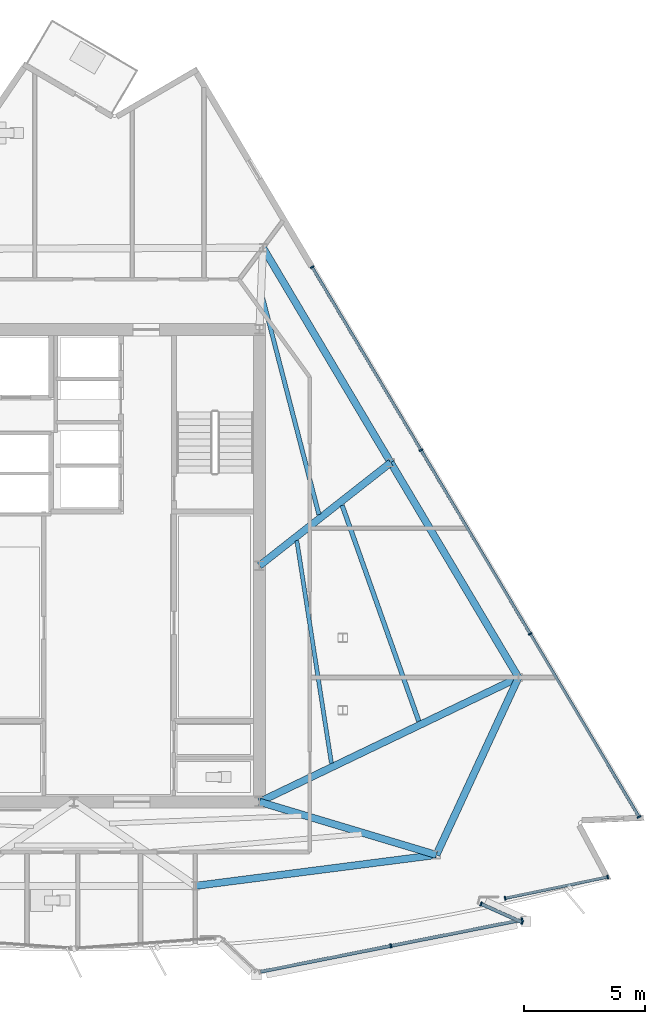
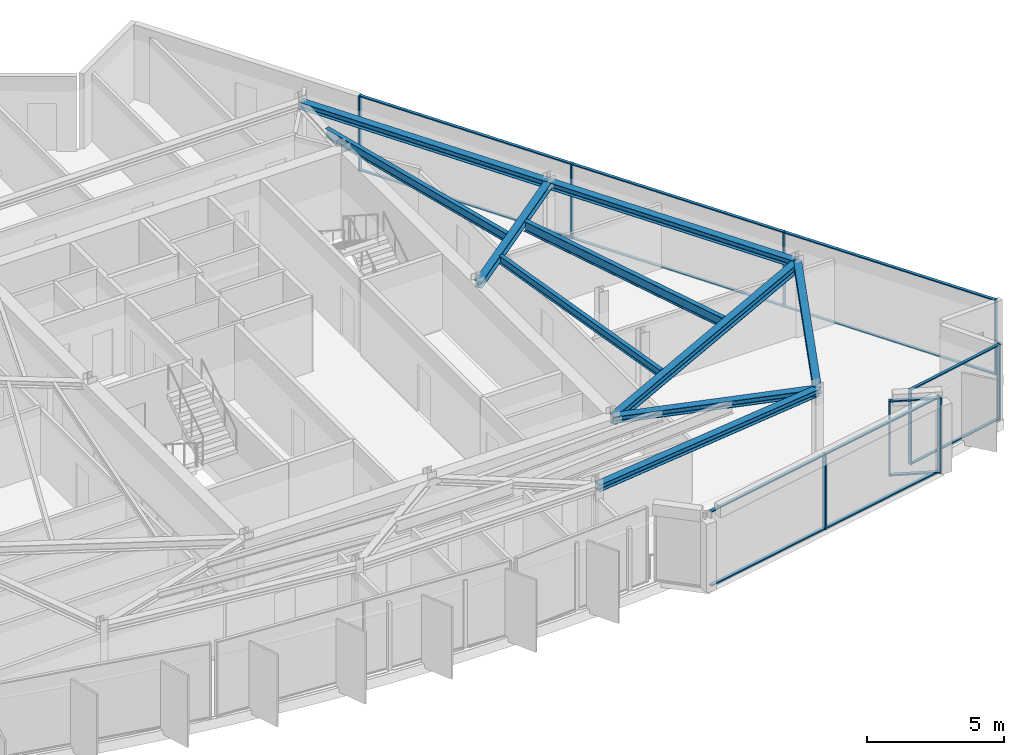
# One storey, part 6 of 14: 24 members, 10 beams, 4 elements without a shape of their own.
"""IFC4 building model written with IfcOpenShell, lengths in metres."""

from ifc_helpers import new_model, si_unit, direction, frame, origin, origin_2d, place, context, subcontext, project, spatial, rectangle, i_section, extrude, material, material_profile, profile_set, type_object, element, aggregate, save


model = new_model("IFC4")

# Units and contexts
model_context = context("Model", 3, precision=1e-05, world=origin(), true_north=direction((0.0, 1.0)))
body_context = subcontext(model_context, "Body", "Model", "MODEL_VIEW")
ifc_project = project(units=[si_unit("LENGTHUNIT", "METRE"), si_unit("AREAUNIT", "SQUARE_METRE"), si_unit("VOLUMEUNIT", "CUBIC_METRE"), si_unit("PLANEANGLEUNIT", "RADIAN"), si_unit("MASSUNIT", "GRAM", prefix="KILO")], contexts=[model_context])

# Site, building, storey
site_placement = place(None, origin())
site = spatial("IfcSite", under=ifc_project, at=site_placement, CompositionType="ELEMENT")
building_placement = place(site_placement, origin())
building = spatial("IfcBuilding", under=site, at=building_placement, Name="Savorim Split Tower", CompositionType="ELEMENT")
storey_placement = place(building_placement, frame((0.0, 0.0, 294.0)))
storey = spatial("IfcBuildingStorey", under=building, at=storey_placement, Name="L78", CompositionType="ELEMENT", Elevation=294.0)

# Beams
ifc_material_1 = material(Name="Steel S355", Category="steel")
ifc_material_profile_1 = material_profile(ifc_material_1, i_section(OverallWidth=0.169921875, OverallDepth=0.360107421875, WebThickness=0.008056640625, FlangeThickness=0.0126953125, FilletRadius=0.01806640625, at=origin_2d()), Name="IPE 360")
ifc_profile_set_1 = profile_set([ifc_material_profile_1], Name="Steel S355")
beam_type_1 = type_object("IfcBeamType", Name="BM-JST-IPE360", PredefinedType="JOIST", material=ifc_profile_set_1)
beam_1_placement = place(storey_placement, frame((10.68408203125, -7.797119140625, 3.159912109375), z_axis=(-0.153529055259, 0.988144133814, 0.0), x_axis=(-0.988144133814, -0.153529055259, 0.0)))
element("IfcBeam", 1, at=beam_1_placement, inside=storey, type_object=beam_type_1, Name="L78 Secondary Floor Joist JS-08", PredefinedType="JOIST", context=body_context, shape_type="SweptSolid", body=[
    extrude(i_section(OverallWidth=0.169921875, OverallDepth=0.360107421875, WebThickness=0.008056640625, FlangeThickness=0.0126953125, FilletRadius=0.01806640625, at=origin_2d()), origin(), (0.0, 0.0, 1.0), 9.34716796875),
])
ifc_material_profile_2 = material_profile(ifc_material_1, i_section(OverallWidth=0.179931640625, OverallDepth=0.39990234375, WebThickness=0.008544921875, FlangeThickness=0.013427734375, FilletRadius=0.02099609375, at=origin_2d()), Name="IPE 400")
ifc_profile_set_2 = profile_set([ifc_material_profile_2], Name="Steel S355")
beam_type_2 = type_object("IfcBeamType", Name="BM-JST-IPE400", PredefinedType="JOIST", material=ifc_profile_set_2)
beam_2_placement = place(storey_placement, frame((10.164306640625, 2.521728515625, 3.139892578125), z_axis=(-0.251309740462, 0.967906717793, 0.0), x_axis=(-0.967906717793, -0.251309740462, 0.0)))
element("IfcBeam", 2, at=beam_2_placement, inside=storey, type_object=beam_type_2, Name="L78 Secondary Floor Joist JS-07", PredefinedType="JOIST", context=body_context, shape_type="SweptSolid", body=[
    extrude(i_section(OverallWidth=0.179931640625, OverallDepth=0.39990234375, WebThickness=0.008544921875, FlangeThickness=0.013427734375, FilletRadius=0.02099609375, at=origin_2d()), origin(), (0.0, 0.0, 1.0), 9.384521484375),
])
ifc_material_profile_3 = material_profile(ifc_material_1, i_section(OverallWidth=0.18994140625, OverallDepth=0.449951171875, WebThickness=0.009521484375, FlangeThickness=0.0146484375, FilletRadius=0.02099609375, at=origin_2d()), Name="IPE 450")
ifc_profile_set_3 = profile_set([ifc_material_profile_3], Name="Steel S355")
beam_type_3 = type_object("IfcBeamType", Name="BM-JST-IPE450", PredefinedType="JOIST", material=ifc_profile_set_3)
beam_3_placement = place(storey_placement, frame((14.30859375, -6.0498046875, 3.114990234375), z_axis=(-0.334751538118, 0.942306429845, 0.0), x_axis=(-0.942306429845, -0.334751538118, 0.0)))
element("IfcBeam", 3, at=beam_3_placement, inside=storey, type_object=beam_type_3, Name="L78 Secondary Floor Joist JS-06", PredefinedType="JOIST", context=body_context, shape_type="SweptSolid", body=[
    extrude(i_section(OverallWidth=0.18994140625, OverallDepth=0.449951171875, WebThickness=0.009521484375, FlangeThickness=0.0146484375, FilletRadius=0.02099609375, at=origin_2d()), origin(), (0.0, 0.0, 1.0), 9.497802734375),
])
ifc_material_profile_4 = material_profile(ifc_material_1, i_section(OverallWidth=0.300048828125, OverallDepth=0.300048828125, WebThickness=0.010986328125, FlangeThickness=0.01904296875, FilletRadius=0.027099609375, at=origin_2d()), Name="HEB 300")
ifc_profile_set_4 = profile_set([ifc_material_profile_4], Name="Steel S355")
beam_type_4 = type_object("IfcBeamType", Name="BM-PRI-HEB300", PredefinedType="BEAM", material=ifc_profile_set_4)
beam_4_placement = place(storey_placement, frame((15.037109375, -11.6015625, 3.18994140625), z_axis=(-0.957807862617, 0.287409287096, 0.0), x_axis=(-0.287409287096, -0.957807862617, 0.0)))
element("IfcBeam", 4, at=beam_4_placement, inside=storey, type_object=beam_type_4, Name="L78 Primary Floor Girder RG-04", PredefinedType="BEAM", context=body_context, shape_type="SweptSolid", body=[
    extrude(i_section(OverallWidth=0.300048828125, OverallDepth=0.300048828125, WebThickness=0.010986328125, FlangeThickness=0.01904296875, FilletRadius=0.027099609375, at=origin_2d()), origin(), (0.0, 0.0, 1.0), 7.660400390625),
])
beam_5_placement = place(storey_placement, frame((13.144287109375, 4.675537109375, 3.18994140625), z_axis=(-0.786462724498, -0.617637744131, 0.0), x_axis=(0.617637744131, -0.786462724498, 0.0)))
element("IfcBeam", 5, at=beam_5_placement, inside=storey, type_object=beam_type_4, Name="L78 Primary Floor Girder RG-06", PredefinedType="BEAM", context=body_context, shape_type="SweptSolid", body=[
    extrude(i_section(OverallWidth=0.300048828125, OverallDepth=0.300048828125, WebThickness=0.010986328125, FlangeThickness=0.01904296875, FilletRadius=0.027099609375, at=origin_2d()), origin(), (0.0, 0.0, 1.0), 6.922607421875),
])
ifc_material_profile_5 = material_profile(ifc_material_1, i_section(OverallWidth=0.300048828125, OverallDepth=0.39990234375, WebThickness=0.013427734375, FlangeThickness=0.02392578125, FilletRadius=0.027099609375, at=origin_2d()), Name="HEB 400")
ifc_profile_set_5 = profile_set([ifc_material_profile_5], Name="Steel S355")
beam_type_5 = type_object("IfcBeamType", Name="BM-PRI-HEB400", PredefinedType="BEAM", material=ifc_profile_set_5)
beam_6_placement = place(storey_placement, frame((18.44580078125, -4.239990234375, 3.139892578125), z_axis=(-0.901460726945, -0.432860898875, 0.0), x_axis=(0.432860898875, -0.901460726945, 0.0)))
element("IfcBeam", 6, at=beam_6_placement, inside=storey, type_object=beam_type_5, Name="L78 Primary Floor Girder RG-05", PredefinedType="BEAM", context=body_context, shape_type="SweptSolid", body=[
    extrude(i_section(OverallWidth=0.300048828125, OverallDepth=0.39990234375, WebThickness=0.013427734375, FlangeThickness=0.02392578125, FilletRadius=0.027099609375, at=origin_2d()), origin(), (0.0, 0.0, 1.0), 11.92041015625),
])
ifc_material_profile_6 = material_profile(ifc_material_1, i_section(OverallWidth=0.300048828125, OverallDepth=0.31005859375, WebThickness=0.009033203125, FlangeThickness=0.015380859375, FilletRadius=0.027099609375, at=origin_2d()), Name="HEA 320")
ifc_profile_set_6 = profile_set([ifc_material_profile_6], Name="Steel S355")
beam_type_6 = type_object("IfcBeamType", Name="BM-SPN-HEA320", PredefinedType="SPANDREL", material=ifc_profile_set_6)
beam_7_placement = place(storey_placement, frame((5.039794921875, -12.885009765625, 3.18505859375), z_axis=(0.991859872424, 0.127334180306, 0.0), x_axis=(-0.127334180306, 0.991859872424, 0.0)))
element("IfcBeam", 7, at=beam_7_placement, inside=storey, type_object=beam_type_6, Name="L78 Perimeter Spandrel Beam 3", PredefinedType="SPANDREL", context=body_context, shape_type="SweptSolid", body=[
    extrude(i_section(OverallWidth=0.300048828125, OverallDepth=0.31005859375, WebThickness=0.009033203125, FlangeThickness=0.015380859375, FilletRadius=0.027099609375, at=origin_2d()), origin(), (0.0, 0.0, 1.0), 10.079345703125),
])
beam_8_placement = place(storey_placement, frame((15.037109375, -11.6015625, 3.18505859375), z_axis=(0.420180016877, 0.9074407713, 0.0), x_axis=(-0.9074407713, 0.420180016877, 0.0)))
element("IfcBeam", 8, at=beam_8_placement, inside=storey, type_object=beam_type_6, Name="L78 Perimeter Spandrel Beam 4", PredefinedType="SPANDREL", context=body_context, shape_type="SweptSolid", body=[
    extrude(i_section(OverallWidth=0.300048828125, OverallDepth=0.31005859375, WebThickness=0.009033203125, FlangeThickness=0.015380859375, FilletRadius=0.027099609375, at=origin_2d()), origin(), (0.0, 0.0, 1.0), 8.112548828125),
])
beam_9_placement = place(storey_placement, frame((18.44580078125, -4.239990234375, 3.18505859375), z_axis=(-0.511103121152, 0.859519400333, 0.0), x_axis=(-0.859519400333, -0.511103121152, 0.0)))
element("IfcBeam", 9, at=beam_9_placement, inside=storey, type_object=beam_type_6, Name="L78 Perimeter Spandrel Beam 5", PredefinedType="SPANDREL", context=body_context, shape_type="SweptSolid", body=[
    extrude(i_section(OverallWidth=0.300048828125, OverallDepth=0.31005859375, WebThickness=0.009033203125, FlangeThickness=0.015380859375, FilletRadius=0.027099609375, at=origin_2d()), origin(), (0.0, 0.0, 1.0), 10.372802734375),
])
beam_10_placement = place(storey_placement, frame((13.144287109375, 4.675537109375, 3.18505859375), z_axis=(-0.51108573242, 0.8595297401, 0.0), x_axis=(-0.8595297401, -0.51108573242, 0.0)))
element("IfcBeam", 10, at=beam_10_placement, inside=storey, type_object=beam_type_6, Name="L78 Perimeter Spandrel Beam 6", PredefinedType="SPANDREL", context=body_context, shape_type="SweptSolid", body=[
    extrude(i_section(OverallWidth=0.300048828125, OverallDepth=0.31005859375, WebThickness=0.009033203125, FlangeThickness=0.015380859375, FilletRadius=0.027099609375, at=origin_2d()), origin(), (0.0, 0.0, 1.0), 10.37255859375),
])

# Curtain wall, members
ifc_material_2 = material(Name="Dark Ceramic-Fritted Insulated Glass", Category="glass")
curtain_wall_type_1 = type_object("IfcCurtainWallType", Name="CW-TWR-FRIT-B", PredefinedType="NOTDEFINED", material=ifc_material_2)
curtain_wall_1_placement = place(storey_placement, origin())
curtain_wall_1 = element("IfcCurtainWall", 11, at=curtain_wall_1_placement, inside=storey, type_object=curtain_wall_type_1, Name="L78 Curtain Wall CW-L78-SF4A", PredefinedType="NOTDEFINED")
ifc_material_3 = material(Name="Charcoal Anodised Aluminium", Category="aluminium")
ifc_material_profile_7 = material_profile(ifc_material_3, rectangle(XDim=0.159912109375, YDim=0.06005859375, at=origin_2d()), Name="ALU-M 160x60")
ifc_profile_set_7 = profile_set([ifc_material_profile_7], Name="Charcoal Anodised Aluminium")
member_type_1 = type_object("IfcMemberType", Name="CWM-160x60", PredefinedType="MULLION", material=ifc_profile_set_7)
member_1_placement = place(storey_placement, frame((17.891845703125, -13.397216796875, 0.0), z_axis=(0.0, 0.0, 1.0), x_axis=(-0.203220155852, 0.979133069739, 0.0)))
member_1 = element("IfcMember", 12, at=member_1_placement, type_object=member_type_1, Name="CW-03 mullion 1", PredefinedType="MULLION", context=body_context, shape_type="SweptSolid", body=[
    extrude(rectangle(XDim=0.159912109375, YDim=0.06005859375, at=origin_2d()), origin(), (0.0, 0.0, 1.0), 3.340087890625),
])
member_2_placement = place(storey_placement, frame((22.142333984375, -12.514892578125, 0.0), z_axis=(0.0, 0.0, 1.0), x_axis=(-0.203220155852, 0.979133069739, 0.0)))
member_2 = element("IfcMember", 13, at=member_2_placement, type_object=member_type_1, Name="CW-03 mullion 2", PredefinedType="MULLION", context=body_context, shape_type="SweptSolid", body=[
    extrude(rectangle(XDim=0.159912109375, YDim=0.06005859375, at=origin_2d()), origin(), (0.0, 0.0, 1.0), 3.340087890625),
])

curtain_wall_2_placement = place(storey_placement, origin())
curtain_wall_2 = element("IfcCurtainWall", 14, at=curtain_wall_2_placement, inside=storey, type_object=curtain_wall_type_1, Name="L78 Curtain Wall CW-L78-EAST", PredefinedType="NOTDEFINED")
member_3_placement = place(storey_placement, frame((23.44482421875, -10.0234375, 0.0), z_axis=(0.0, 0.0, 1.0), x_axis=(-0.859526200766, -0.511091684727, 0.0)))
member_3 = element("IfcMember", 15, at=member_3_placement, type_object=member_type_1, Name="CW-03 mullion 1", PredefinedType="MULLION", context=body_context, shape_type="SweptSolid", body=[
    extrude(rectangle(XDim=0.159912109375, YDim=0.06005859375, at=origin_2d()), origin(), (0.0, 0.0, 1.0), 3.340087890625),
])
member_4_placement = place(storey_placement, frame((18.92919921875, -2.42919921875, 0.0), z_axis=(0.0, 0.0, 1.0), x_axis=(-0.859526200766, -0.511091684727, 0.0)))
member_4 = element("IfcMember", 16, at=member_4_placement, type_object=member_type_1, Name="CW-03 mullion 2", PredefinedType="MULLION", context=body_context, shape_type="SweptSolid", body=[
    extrude(rectangle(XDim=0.159912109375, YDim=0.06005859375, at=origin_2d()), origin(), (0.0, 0.0, 1.0), 3.340087890625),
])
member_5_placement = place(storey_placement, frame((14.398193359375, 5.190673828125, 0.0), z_axis=(0.0, 0.0, 1.0), x_axis=(-0.859526200766, -0.511091684727, 0.0)))
member_5 = element("IfcMember", 17, at=member_5_placement, type_object=member_type_1, Name="CW-03 mullion 3", PredefinedType="MULLION", context=body_context, shape_type="SweptSolid", body=[
    extrude(rectangle(XDim=0.159912109375, YDim=0.06005859375, at=origin_2d()), origin(), (0.0, 0.0, 1.0), 3.340087890625),
])
member_6_placement = place(storey_placement, frame((9.882568359375, 12.784912109375, 0.0), z_axis=(0.0, 0.0, 1.0), x_axis=(-0.859526200766, -0.511091684727, 0.0)))
member_6 = element("IfcMember", 18, at=member_6_placement, type_object=member_type_1, Name="CW-03 mullion 4", PredefinedType="MULLION", context=body_context, shape_type="SweptSolid", body=[
    extrude(rectangle(XDim=0.159912109375, YDim=0.06005859375, at=origin_2d()), origin(), (0.0, 0.0, 1.0), 3.340087890625),
])

curtain_wall_type_2 = type_object("IfcCurtainWallType", Name="CW-BAY-LOUNGE", PredefinedType="NOTDEFINED", material=ifc_material_2)
curtain_wall_3_placement = place(storey_placement, origin())
curtain_wall_3 = element("IfcCurtainWall", 19, at=curtain_wall_3_placement, inside=storey, type_object=curtain_wall_type_2, Name="L78 Curtain Wall CW-L78-BAYF", PredefinedType="NOTDEFINED")
ifc_material_profile_8 = material_profile(ifc_material_3, rectangle(XDim=0.179931640625, YDim=0.06494140625, at=origin_2d()), Name="ALU-M 180x65")
ifc_profile_set_8 = profile_set([ifc_material_profile_8], Name="Charcoal Anodised Aluminium")
member_type_2 = type_object("IfcMemberType", Name="CWM-180x65", PredefinedType="MULLION", material=ifc_profile_set_8)
member_7_placement = place(storey_placement, frame((13.15185546875, -15.37255859375, 0.0), z_axis=(0.0, 0.0, 1.0), x_axis=(-0.194484421737, 0.980905606927, 0.0)))
member_7 = element("IfcMember", 20, at=member_7_placement, type_object=member_type_2, Name="CW-04 mullion 2", PredefinedType="MULLION", context=body_context, shape_type="SweptSolid", body=[
    extrude(rectangle(XDim=0.179931640625, YDim=0.06494140625, at=origin_2d()), origin(), (0.0, 0.0, 1.0), 3.340087890625),
])
member_8_placement = place(storey_placement, frame((18.5947265625, -14.29345703125, 0.0), z_axis=(0.0, 0.0, 1.0), x_axis=(-0.194484421737, 0.980905606927, 0.0)))
member_8 = element("IfcMember", 21, at=member_8_placement, type_object=member_type_2, Name="CW-04 mullion 3", PredefinedType="MULLION", context=body_context, shape_type="SweptSolid", body=[
    extrude(rectangle(XDim=0.179931640625, YDim=0.06494140625, at=origin_2d()), origin(), (0.0, 0.0, 1.0), 3.340087890625),
])

curtain_wall_4_placement = place(storey_placement, origin())
curtain_wall_4 = element("IfcCurtainWall", 22, at=curtain_wall_4_placement, inside=storey, type_object=curtain_wall_type_2, Name="L78 Curtain Wall CW-L78-BAYE", PredefinedType="NOTDEFINED")
member_9_placement = place(storey_placement, frame((18.60205078125, -14.39892578125, 0.0), z_axis=(0.0, 0.0, 1.0), x_axis=(-0.409230543501, -0.912431017812, 0.0)))
member_9 = element("IfcMember", 23, at=member_9_placement, type_object=member_type_2, Name="CW-04 mullion 1", PredefinedType="MULLION", context=body_context, shape_type="SweptSolid", body=[
    extrude(rectangle(XDim=0.179931640625, YDim=0.06494140625, at=origin_2d()), origin(), (0.0, 0.0, 1.0), 3.340087890625),
])
member_10_placement = place(storey_placement, frame((16.89111328125, -13.631591796875, 0.0), z_axis=(0.0, 0.0, 1.0), x_axis=(-0.409230543501, -0.912431017812, 0.0)))
member_10 = element("IfcMember", 24, at=member_10_placement, type_object=member_type_2, Name="CW-04 mullion 2", PredefinedType="MULLION", context=body_context, shape_type="SweptSolid", body=[
    extrude(rectangle(XDim=0.179931640625, YDim=0.06494140625, at=origin_2d()), origin(), (0.0, 0.0, 1.0), 3.340087890625),
])

# Member
ifc_material_profile_9 = material_profile(ifc_material_3, rectangle(XDim=0.1201171875, YDim=0.050048828125, at=origin_2d()), Name="ALU-T 120x50")
ifc_profile_set_9 = profile_set([ifc_material_profile_9], Name="Charcoal Anodised Aluminium")
member_type_3 = type_object("IfcMemberType", Name="CWT-120x50", PredefinedType="USERDEFINED", material=ifc_profile_set_9)
member_11_placement = place(storey_placement, frame((17.921142578125, -13.39111328125, 0.02490234375), z_axis=(0.979129127242, 0.203239150232, 0.0), x_axis=(-0.203239150232, 0.979129127242, 0.0)))
member_11 = element("IfcMember", 25, at=member_11_placement, type_object=member_type_3, Name="CW-03 transom 1.1", ObjectType="TRANSOM", PredefinedType="USERDEFINED", context=body_context, shape_type="SweptSolid", body=[
    extrude(rectangle(XDim=0.1201171875, YDim=0.050048828125, at=origin_2d()), origin(), (0.0, 0.0, 1.0), 4.28125),
])

member_12_placement = place(storey_placement, frame((17.921142578125, -13.39111328125, 3.31494140625), z_axis=(0.979129127242, 0.203239150232, 0.0), x_axis=(-0.203239150232, 0.979129127242, 0.0)))
member_12 = element("IfcMember", 26, at=member_12_placement, type_object=member_type_3, Name="CW-03 transom 1.2", ObjectType="TRANSOM", PredefinedType="USERDEFINED", context=body_context, shape_type="SweptSolid", body=[
    extrude(rectangle(XDim=0.1201171875, YDim=0.050048828125, at=origin_2d()), origin(), (0.0, 0.0, 1.0), 4.28125),
])

aggregate(curtain_wall_1, [member_1, member_2, member_11, member_12])

member_13_placement = place(storey_placement, frame((23.429443359375, -9.99755859375, 0.02490234375), z_axis=(-0.511087614626, 0.859528620917, 0.0), x_axis=(-0.859528620917, -0.511087614626, 0.0)))
member_13 = element("IfcMember", 27, at=member_13_placement, type_object=member_type_3, Name="CW-03 transom 1.1", ObjectType="TRANSOM", PredefinedType="USERDEFINED", context=body_context, shape_type="SweptSolid", body=[
    extrude(rectangle(XDim=0.1201171875, YDim=0.050048828125, at=origin_2d()), origin(), (0.0, 0.0, 1.0), 8.775146484375),
])

member_14_placement = place(storey_placement, frame((23.429443359375, -9.99755859375, 3.31494140625), z_axis=(-0.511087614626, 0.859528620917, 0.0), x_axis=(-0.859528620917, -0.511087614626, 0.0)))
member_14 = element("IfcMember", 28, at=member_14_placement, type_object=member_type_3, Name="CW-03 transom 1.2", ObjectType="TRANSOM", PredefinedType="USERDEFINED", context=body_context, shape_type="SweptSolid", body=[
    extrude(rectangle(XDim=0.1201171875, YDim=0.050048828125, at=origin_2d()), origin(), (0.0, 0.0, 1.0), 8.775146484375),
])

member_15_placement = place(storey_placement, frame((18.913818359375, -2.403564453125, 0.02490234375), z_axis=(-0.511087019208, 0.859528974961, 0.0), x_axis=(-0.859528974961, -0.511087019208, 0.0)))
member_15 = element("IfcMember", 29, at=member_15_placement, type_object=member_type_3, Name="CW-03 transom 2.1", ObjectType="TRANSOM", PredefinedType="USERDEFINED", context=body_context, shape_type="SweptSolid", body=[
    extrude(rectangle(XDim=0.1201171875, YDim=0.050048828125, at=origin_2d()), origin(), (0.0, 0.0, 1.0), 8.80517578125),
])

member_16_placement = place(storey_placement, frame((18.913818359375, -2.403564453125, 3.31494140625), z_axis=(-0.511087019208, 0.859528974961, 0.0), x_axis=(-0.859528974961, -0.511087019208, 0.0)))
member_16 = element("IfcMember", 30, at=member_16_placement, type_object=member_type_3, Name="CW-03 transom 2.2", ObjectType="TRANSOM", PredefinedType="USERDEFINED", context=body_context, shape_type="SweptSolid", body=[
    extrude(rectangle(XDim=0.1201171875, YDim=0.050048828125, at=origin_2d()), origin(), (0.0, 0.0, 1.0), 8.80517578125),
])

member_17_placement = place(storey_placement, frame((14.3828125, 5.216552734375, 0.02490234375), z_axis=(-0.511087614626, 0.859528620917, 0.0), x_axis=(-0.859528620917, -0.511087614626, 0.0)))
member_17 = element("IfcMember", 31, at=member_17_placement, type_object=member_type_3, Name="CW-03 transom 3.1", ObjectType="TRANSOM", PredefinedType="USERDEFINED", context=body_context, shape_type="SweptSolid", body=[
    extrude(rectangle(XDim=0.1201171875, YDim=0.050048828125, at=origin_2d()), origin(), (0.0, 0.0, 1.0), 8.775146484375),
])

member_18_placement = place(storey_placement, frame((14.3828125, 5.216552734375, 3.31494140625), z_axis=(-0.511087614626, 0.859528620917, 0.0), x_axis=(-0.859528620917, -0.511087614626, 0.0)))
member_18 = element("IfcMember", 32, at=member_18_placement, type_object=member_type_3, Name="CW-03 transom 3.2", ObjectType="TRANSOM", PredefinedType="USERDEFINED", context=body_context, shape_type="SweptSolid", body=[
    extrude(rectangle(XDim=0.1201171875, YDim=0.050048828125, at=origin_2d()), origin(), (0.0, 0.0, 1.0), 8.775146484375),
])

aggregate(curtain_wall_2, [member_3, member_4, member_5, member_6, member_13, member_14, member_15, member_16, member_17, member_18])

ifc_material_profile_10 = material_profile(ifc_material_3, rectangle(XDim=0.139892578125, YDim=0.054931640625, at=origin_2d()), Name="ALU-T 140x55")
ifc_profile_set_10 = profile_set([ifc_material_profile_10], Name="Charcoal Anodised Aluminium")
member_type_4 = type_object("IfcMemberType", Name="CWT-140x55", PredefinedType="USERDEFINED", material=ifc_profile_set_10)
member_19_placement = place(storey_placement, frame((7.74072265625, -16.445556640625, 0.027587890625), z_axis=(0.980901265957, 0.194506314663, 0.0), x_axis=(-0.194506314663, 0.980901265957, 0.0)))
member_19 = element("IfcMember", 33, at=member_19_placement, type_object=member_type_4, Name="CW-04 transom 1.1", ObjectType="TRANSOM", PredefinedType="USERDEFINED", context=body_context, shape_type="SweptSolid", body=[
    extrude(rectangle(XDim=0.139892578125, YDim=0.054931640625, at=origin_2d()), origin(), (0.0, 0.0, 1.0), 5.48388671875),
])

member_20_placement = place(storey_placement, frame((7.74072265625, -16.445556640625, 3.3125), z_axis=(0.980901265957, 0.194506314663, 0.0), x_axis=(-0.194506314663, 0.980901265957, 0.0)))
member_20 = element("IfcMember", 34, at=member_20_placement, type_object=member_type_4, Name="CW-04 transom 1.2", ObjectType="TRANSOM", PredefinedType="USERDEFINED", context=body_context, shape_type="SweptSolid", body=[
    extrude(rectangle(XDim=0.139892578125, YDim=0.054931640625, at=origin_2d()), origin(), (0.0, 0.0, 1.0), 5.48388671875),
])

member_21_placement = place(storey_placement, frame((13.18359375, -15.3662109375, 0.027587890625), z_axis=(0.980909759064, 0.194463478763, 0.0), x_axis=(-0.194463478763, 0.980909759064, 0.0)))
member_21 = element("IfcMember", 35, at=member_21_placement, type_object=member_type_4, Name="CW-04 transom 2.1", ObjectType="TRANSOM", PredefinedType="USERDEFINED", context=body_context, shape_type="SweptSolid", body=[
    extrude(rectangle(XDim=0.139892578125, YDim=0.054931640625, at=origin_2d()), origin(), (0.0, 0.0, 1.0), 5.48388671875),
])

member_22_placement = place(storey_placement, frame((13.18359375, -15.3662109375, 3.3125), z_axis=(0.980909759064, 0.194463478763, 0.0), x_axis=(-0.194463478763, 0.980909759064, 0.0)))
member_22 = element("IfcMember", 36, at=member_22_placement, type_object=member_type_4, Name="CW-04 transom 2.2", ObjectType="TRANSOM", PredefinedType="USERDEFINED", context=body_context, shape_type="SweptSolid", body=[
    extrude(rectangle(XDim=0.139892578125, YDim=0.054931640625, at=origin_2d()), origin(), (0.0, 0.0, 1.0), 5.48388671875),
])

aggregate(curtain_wall_3, [member_7, member_8, member_19, member_20, member_21, member_22])

member_23_placement = place(storey_placement, frame((18.572265625, -14.385498046875, 0.027587890625), z_axis=(-0.912465910851, 0.409152736193, 0.0), x_axis=(-0.409152736193, -0.912465910851, 0.0)))
member_23 = element("IfcMember", 37, at=member_23_placement, type_object=member_type_4, Name="CW-04 transom 1.1", ObjectType="TRANSOM", PredefinedType="USERDEFINED", context=body_context, shape_type="SweptSolid", body=[
    extrude(rectangle(XDim=0.139892578125, YDim=0.054931640625, at=origin_2d()), origin(), (0.0, 0.0, 1.0), 1.809814453125),
])

member_24_placement = place(storey_placement, frame((18.572265625, -14.385498046875, 3.3125), z_axis=(-0.912465910851, 0.409152736193, 0.0), x_axis=(-0.409152736193, -0.912465910851, 0.0)))
member_24 = element("IfcMember", 38, at=member_24_placement, type_object=member_type_4, Name="CW-04 transom 1.2", ObjectType="TRANSOM", PredefinedType="USERDEFINED", context=body_context, shape_type="SweptSolid", body=[
    extrude(rectangle(XDim=0.139892578125, YDim=0.054931640625, at=origin_2d()), origin(), (0.0, 0.0, 1.0), 1.809814453125),
])

aggregate(curtain_wall_4, [member_9, member_10, member_23, member_24])

save(model, "model.ifc")
